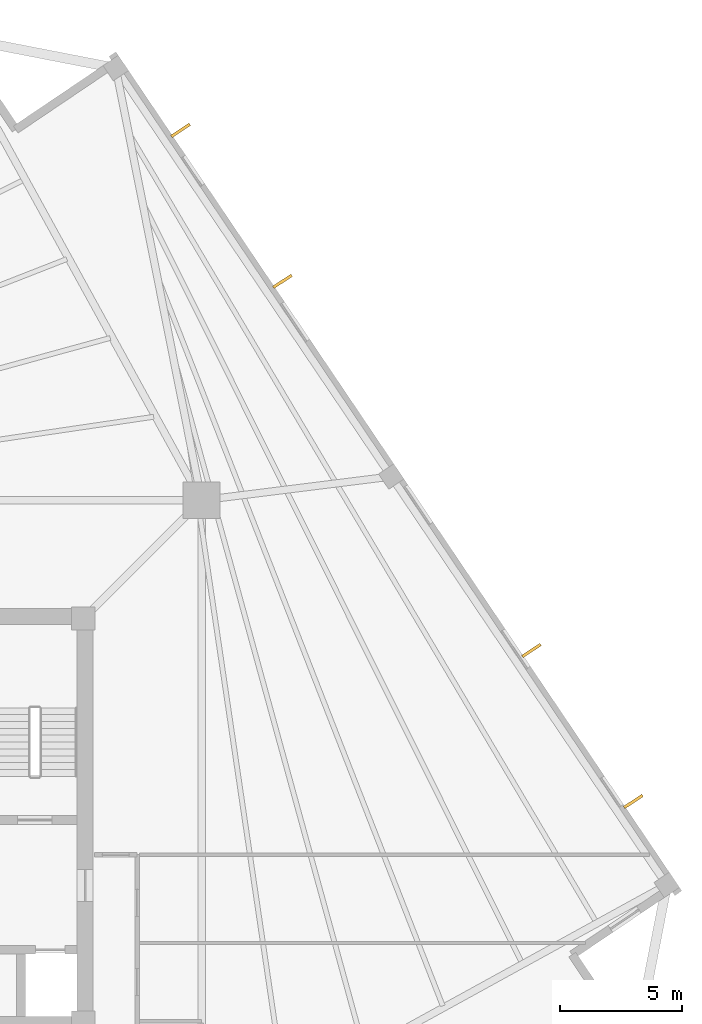
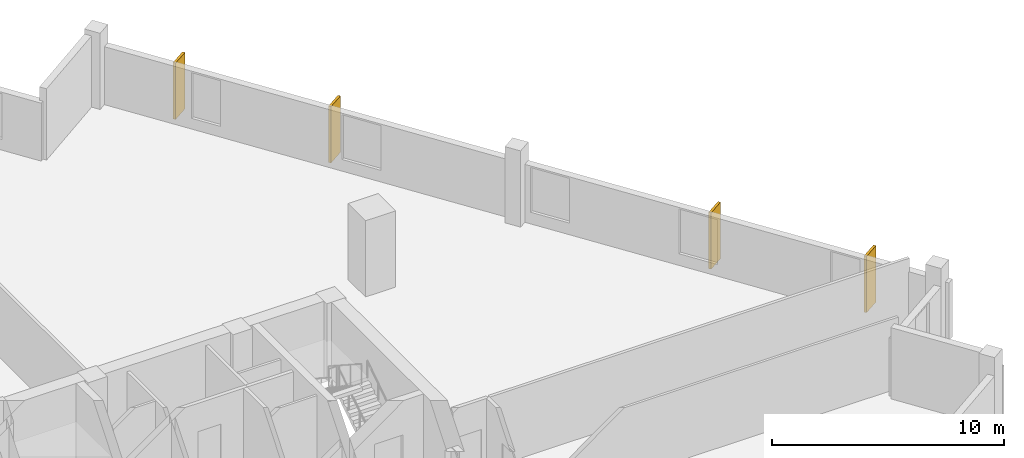
# One storey, part 9 of 9: 4 coverings.
"""IFC4 building model written with IfcOpenShell, lengths in metres."""

from ifc_helpers import new_model, si_unit, direction, frame, origin, origin_2d, place, context, subcontext, project, spatial, rectangle, extrude, source, transform, mapped, material, layer, layer_set, type_object, element, save


model = new_model("IFC4")

# Units and contexts
model_context = context("Model", 3, precision=1e-05, world=origin(), true_north=direction((0.0, 1.0)))
body_context = subcontext(model_context, "Body", "Model", "MODEL_VIEW")
ifc_project = project(units=[si_unit("LENGTHUNIT", "METRE"), si_unit("AREAUNIT", "SQUARE_METRE"), si_unit("VOLUMEUNIT", "CUBIC_METRE"), si_unit("PLANEANGLEUNIT", "RADIAN"), si_unit("MASSUNIT", "GRAM", prefix="KILO"), si_unit("THERMODYNAMICTEMPERATUREUNIT", "KELVIN")], contexts=[model_context])

# Site, building, storey
site_placement = place(None, origin())
site = spatial("IfcSite", under=ifc_project, at=site_placement, CompositionType="ELEMENT")
building_placement = place(site_placement, origin())
building = spatial("IfcBuilding", under=site, at=building_placement, Name="Kosmvard Interchange Tower", CompositionType="ELEMENT")
storey_placement = place(building_placement, frame((0.0, 0.0, 164.39990234375)))
storey = spatial("IfcBuildingStorey", under=building, at=storey_placement, Name="L39", CompositionType="ELEMENT", Elevation=164.39990234375)

# Coverings
ifc_material = material(Name="Architectural anodised aluminium", Category="aluminium")
ifc_layer = layer(ifc_material, 0.1201171875, Name="Architectural anodised aluminium")
ifc_layer_set = layer_set([ifc_layer], Name="Architectural anodised aluminium")
covering_type = type_object("IfcCoveringType", Name="Rotating Vertical Sun-Breaker Fin 900x120 Aluminium", PredefinedType="CLADDING", material=ifc_layer_set)
shared_shape = source(origin(), body_context, "Body", "SweptSolid", [
    extrude(rectangle(XDim=0.89990234375, YDim=0.1201171875, at=origin_2d()), origin(), (0.0, 0.0, 1.0), 2.9599609375),
])
for number, where, z_axis, x_axis, name in (
    (1, (30.718994140625, 0.774169921875, 0.0400390625), (0.0, 0.0, 1.0), (0.835615665335, 0.549314536351, 0.0), "L39 Rotating Vertical Sun-Breaker Fin 05"),
    (2, (26.557861328125, 6.943115234375, 0.0400390625), (0.0, 0.0, 1.0), (0.835615665335, 0.549314536351, 0.0), "L39 Rotating Vertical Sun-Breaker Fin 06"),
    (3, (16.38623046875, 22.02294921875, 0.0400390625), (0.0, 0.0, 1.0), (0.835615665335, 0.549314536351, 0.0), "L39 Rotating Vertical Sun-Breaker Fin 07"),
    (4, (12.225341796875, 28.192138671875, 0.0400390625), (0.0, 0.0, 1.0), (0.835615665335, 0.549314536351, 0.0), "L39 Rotating Vertical Sun-Breaker Fin 08"),
):
    element("IfcCovering", number, at=place(storey_placement, frame(where, z_axis=z_axis, x_axis=x_axis)), inside=storey, type_object=covering_type, Name=name, PredefinedType="CLADDING", context=body_context, shape_type="MappedRepresentation", body=[
        mapped(shared_shape, transform((0.0, 0.0, 0.0), scale=1.0)),
    ])

save(model, "model.ifc")
